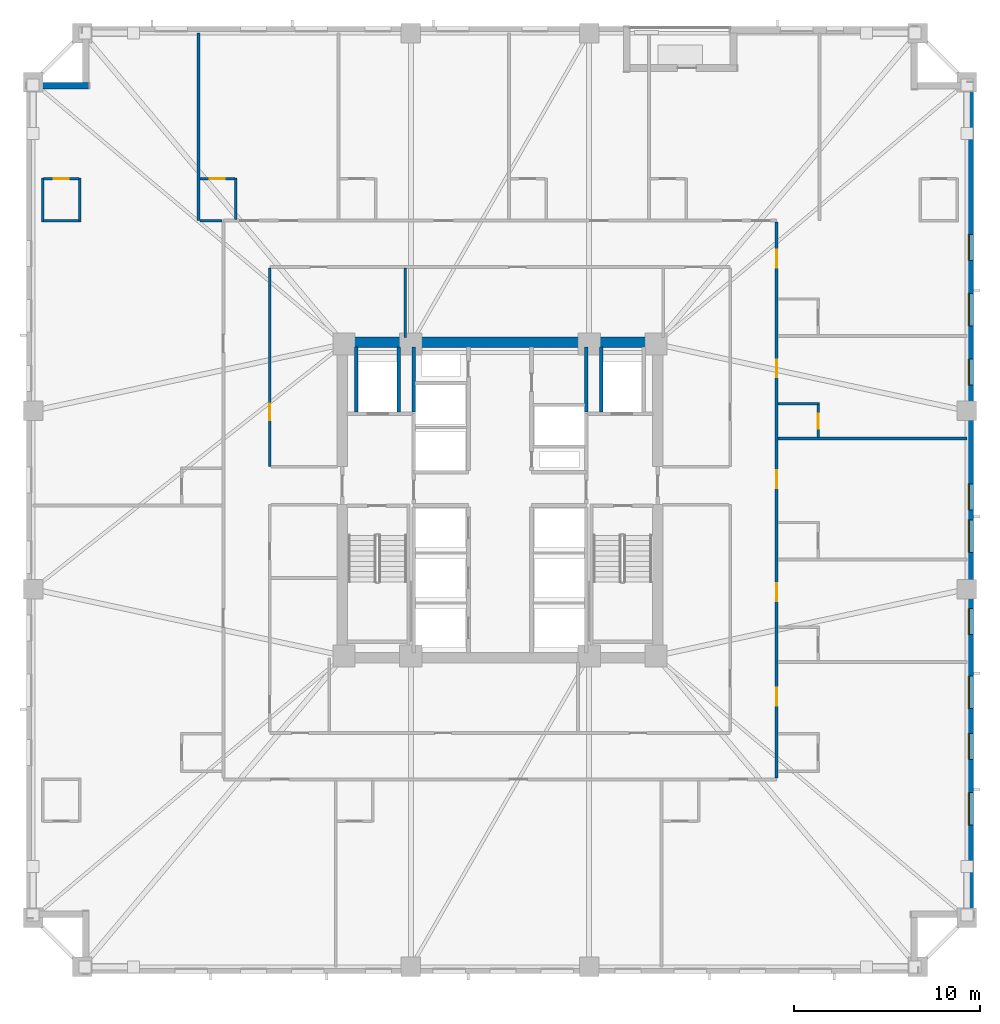
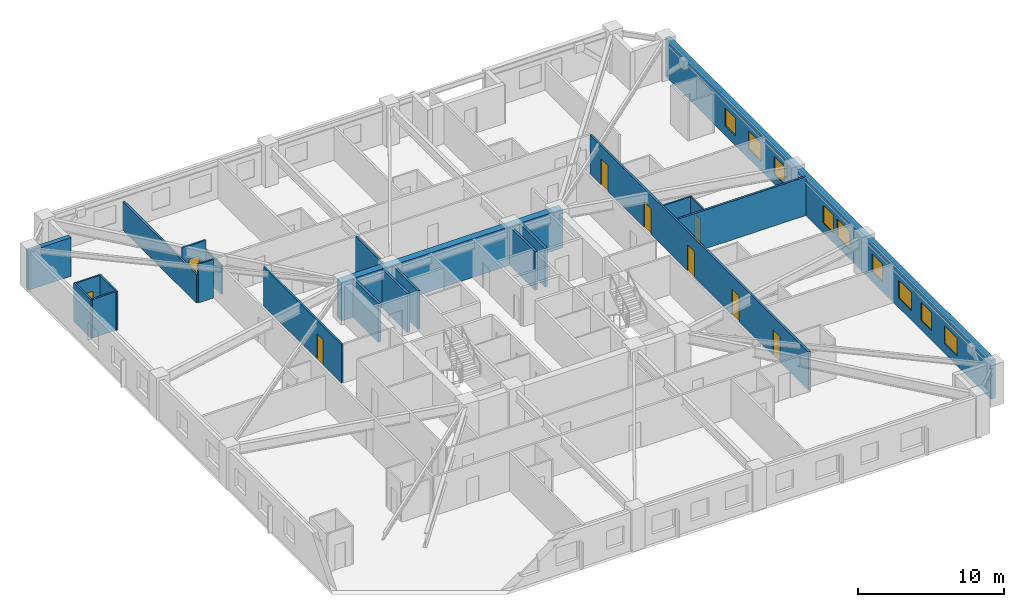
# One storey, part 5 of 11: 22 walls, 9 doors, 9 windows, 18 openings.
"""IFC4 building model written with IfcOpenShell, lengths in metres."""

from ifc_helpers import new_model, si_unit, direction, frame, frame_2d, origin, place, context, subcontext, project, spatial, rectangle, extrude, material, layer, layer_set, type_object, element, fill, save


model = new_model("IFC4")

# Units and contexts
model_context = context("Model", 3, precision=1e-05, world=origin(), true_north=direction((0.0, 1.0)))
body_context = subcontext(model_context, "Body", "Model", "MODEL_VIEW")
ifc_project = project(units=[si_unit("LENGTHUNIT", "METRE"), si_unit("AREAUNIT", "SQUARE_METRE"), si_unit("VOLUMEUNIT", "CUBIC_METRE"), si_unit("PLANEANGLEUNIT", "RADIAN"), si_unit("MASSUNIT", "GRAM", prefix="KILO")], contexts=[model_context])

# Site, building, storey
site_placement = place(None, origin())
site = spatial("IfcSite", under=ifc_project, at=site_placement, CompositionType="ELEMENT")
building_placement = place(site_placement, origin())
building = spatial("IfcBuilding", under=site, at=building_placement, Name="Cairnveth Concourse Tower", CompositionType="ELEMENT")
storey_placement = place(building_placement, frame((0.0, 0.0, 93.5)))
storey = spatial("IfcBuildingStorey", under=building, at=storey_placement, Name="L25", CompositionType="ELEMENT", Elevation=93.5)

# Wall, openings, doors
ifc_material_1 = material(Name="Gypsum Plasterboard Partition", Category="gypsum")
ifc_layer_1 = layer(ifc_material_1, 0.159912109375)
ifc_layer_set_1 = layer_set([ifc_layer_1], Name="Gypsum Plasterboard Partition")
wall_type_1 = type_object("IfcWallType", Name="ACOUSTIC PARTY WALL 180", PredefinedType="PARTITIONING", material=ifc_layer_set_1)
wall_1_placement = place(storey_placement, frame((66.89990234375, 24.014892578125, 0.0), z_axis=(0.0, 0.0, 1.0), x_axis=(0.0, 1.0, 0.0)))
wall_1 = element("IfcWall", 1, at=wall_1_placement, inside=storey, type_object=wall_type_1, Name="Interior Wall IW-L25-040", PredefinedType="PARTITIONING", context=body_context, shape_type="SweptSolid", body=[
    extrude(rectangle(XDim=29.97021484375, YDim=0.159912109375, at=frame_2d((14.985107421875, 0.0))), origin(), (0.0, 0.0, 1.0), 3.239990234375),
])
opening_1_placement = place(wall_1_placement, frame((3.911376953125, 0.0, 0.0)))
opening_1 = element("IfcOpeningElement", 2, at=opening_1_placement, cuts=wall_1, Name="Opening ID09", PredefinedType="OPENING", context=body_context, shape_type="SweptSolid", body=[
    extrude(rectangle(XDim=0.9599609375, YDim=2.14990234375, at=frame_2d((0.47998046875, 1.074951171875))), frame((0.0, 0.08984375, 0.0), z_axis=(0.0, -1.0, 0.0), x_axis=(1.0, 0.0, 0.0)), (0.0, 0.0, 1.0), 0.179931640625),
])
opening_2_placement = place(wall_1_placement, frame((9.544189453125, 0.0, 0.0)))
opening_2 = element("IfcOpeningElement", 3, at=opening_2_placement, cuts=wall_1, Name="Opening ID09", PredefinedType="OPENING", context=body_context, shape_type="SweptSolid", body=[
    extrude(rectangle(XDim=0.9599609375, YDim=2.14990234375, at=frame_2d((0.47998046875, 1.074951171875))), frame((0.0, 0.08984375, 0.0), z_axis=(0.0, -1.0, 0.0), x_axis=(1.0, 0.0, 0.0)), (0.0, 0.0, 1.0), 0.179931640625),
])
opening_3_placement = place(wall_1_placement, frame((15.625, 0.0, 0.0)))
opening_3 = element("IfcOpeningElement", 4, at=opening_3_placement, cuts=wall_1, Name="Opening ID09", PredefinedType="OPENING", context=body_context, shape_type="SweptSolid", body=[
    extrude(rectangle(XDim=0.9599609375, YDim=2.14990234375, at=frame_2d((0.47998046875, 1.074951171875))), frame((0.0, 0.08984375, 0.0), z_axis=(0.0, -1.0, 0.0), x_axis=(1.0, 0.0, 0.0)), (0.0, 0.0, 1.0), 0.179931640625),
])
opening_4_placement = place(wall_1_placement, frame((21.584228515625, 0.0, 0.0)))
opening_4 = element("IfcOpeningElement", 5, at=opening_4_placement, cuts=wall_1, Name="Opening ID09", PredefinedType="OPENING", context=body_context, shape_type="SweptSolid", body=[
    extrude(rectangle(XDim=0.9599609375, YDim=2.14990234375, at=frame_2d((0.47998046875, 1.074951171875))), frame((0.0, 0.08984375, 0.0), z_axis=(0.0, -1.0, 0.0), x_axis=(1.0, 0.0, 0.0)), (0.0, 0.0, 1.0), 0.179931640625),
])
opening_5_placement = place(wall_1_placement, frame((27.49365234375, 0.0, 0.0)))
opening_5 = element("IfcOpeningElement", 6, at=opening_5_placement, cuts=wall_1, Name="Opening ID09", PredefinedType="OPENING", context=body_context, shape_type="SweptSolid", body=[
    extrude(rectangle(XDim=0.9599609375, YDim=2.14990234375, at=frame_2d((0.47998046875, 1.074951171875))), frame((0.0, 0.08984375, 0.0), z_axis=(0.0, -1.0, 0.0), x_axis=(1.0, 0.0, 0.0)), (0.0, 0.0, 1.0), 0.179931640625),
])
ifc_material_2 = material(Name="Solid Core Hardwood Timber Leaf", Category="wood")
door_type_1 = type_object("IfcDoorType", Name="HOTEL ENTRANCE DOOR 960X2150", OperationType="NOTDEFINED", PredefinedType="DOOR", material=ifc_material_2)
door_1_placement = place(opening_1_placement, origin())
door_1 = element("IfcDoor", 7, at=door_1_placement, inside=storey, type_object=door_type_1, Name="Hotel Room Door L25-E1", OperationType="SINGLE_SWING_LEFT", OverallHeight=2.14990234375, OverallWidth=0.9599609375, PredefinedType="DOOR", context=body_context, shape_type="SweptSolid", body=[
    extrude(rectangle(XDim=0.9599609375, YDim=2.14990234375, at=frame_2d((0.47998046875, 1.074951171875))), frame((0.0, 0.02490234375, 0.0), z_axis=(0.0, -1.0, 0.0), x_axis=(1.0, 0.0, 0.0)), (0.0, 0.0, 1.0), 0.050048828125),
])
fill(opening_1, door_1)
door_2_placement = place(opening_2_placement, origin())
door_2 = element("IfcDoor", 8, at=door_2_placement, inside=storey, type_object=door_type_1, Name="Hotel Room Door L25-E2", OperationType="SINGLE_SWING_LEFT", OverallHeight=2.14990234375, OverallWidth=0.9599609375, PredefinedType="DOOR", context=body_context, shape_type="SweptSolid", body=[
    extrude(rectangle(XDim=0.9599609375, YDim=2.14990234375, at=frame_2d((0.47998046875, 1.074951171875))), frame((0.0, 0.02490234375, 0.0), z_axis=(0.0, -1.0, 0.0), x_axis=(1.0, 0.0, 0.0)), (0.0, 0.0, 1.0), 0.050048828125),
])
fill(opening_2, door_2)
door_3_placement = place(opening_3_placement, origin())
door_3 = element("IfcDoor", 9, at=door_3_placement, inside=storey, type_object=door_type_1, Name="Hotel Room Door L25-E3", OperationType="SINGLE_SWING_LEFT", OverallHeight=2.14990234375, OverallWidth=0.9599609375, PredefinedType="DOOR", context=body_context, shape_type="SweptSolid", body=[
    extrude(rectangle(XDim=0.9599609375, YDim=2.14990234375, at=frame_2d((0.47998046875, 1.074951171875))), frame((0.0, 0.02490234375, 0.0), z_axis=(0.0, -1.0, 0.0), x_axis=(1.0, 0.0, 0.0)), (0.0, 0.0, 1.0), 0.050048828125),
])
fill(opening_3, door_3)
door_4_placement = place(opening_4_placement, origin())
door_4 = element("IfcDoor", 10, at=door_4_placement, inside=storey, type_object=door_type_1, Name="Hotel Room Door L25-E4", OperationType="SINGLE_SWING_LEFT", OverallHeight=2.14990234375, OverallWidth=0.9599609375, PredefinedType="DOOR", context=body_context, shape_type="SweptSolid", body=[
    extrude(rectangle(XDim=0.9599609375, YDim=2.14990234375, at=frame_2d((0.47998046875, 1.074951171875))), frame((0.0, 0.02490234375, 0.0), z_axis=(0.0, -1.0, 0.0), x_axis=(1.0, 0.0, 0.0)), (0.0, 0.0, 1.0), 0.050048828125),
])
fill(opening_4, door_4)
door_5_placement = place(opening_5_placement, origin())
door_5 = element("IfcDoor", 11, at=door_5_placement, inside=storey, type_object=door_type_1, Name="Hotel Room Door L25-E5", OperationType="SINGLE_SWING_LEFT", OverallHeight=2.14990234375, OverallWidth=0.9599609375, PredefinedType="DOOR", context=body_context, shape_type="SweptSolid", body=[
    extrude(rectangle(XDim=0.9599609375, YDim=2.14990234375, at=frame_2d((0.47998046875, 1.074951171875))), frame((0.0, 0.02490234375, 0.0), z_axis=(0.0, -1.0, 0.0), x_axis=(1.0, 0.0, 0.0)), (0.0, 0.0, 1.0), 0.050048828125),
])
fill(opening_5, door_5)

# Walls
wall_2_placement = place(storey_placement, frame((35.767578125, 54.050048828125, 0.0), z_axis=(0.0, 0.0, 1.0), x_axis=(0.0, 1.0, 0.0)))
element("IfcWall", 12, at=wall_2_placement, inside=storey, type_object=wall_type_1, Name="Interior Wall IW-L25-070", PredefinedType="PARTITIONING", context=body_context, shape_type="SweptSolid", body=[
    extrude(rectangle(XDim=10.10498046875, YDim=0.159912109375, at=frame_2d((5.052490234375, 0.0))), origin(), (0.0, 0.0, 1.0), 2.39892578125),
])
wall_3_placement = place(storey_placement, frame((66.965087890625, 42.302490234375, 0.0), z_axis=(0.0, 0.0, 1.0), x_axis=(1.0, 0.0, 0.0)))
element("IfcWall", 13, at=wall_3_placement, inside=storey, type_object=wall_type_1, Name="Interior Wall IW-L25-103", PredefinedType="PARTITIONING", context=body_context, shape_type="SweptSolid", body=[
    extrude(rectangle(XDim=10.18994140625, YDim=0.159912109375, at=frame_2d((5.094970703125, 0.0))), origin(), (0.0, 0.0, 1.0), 3.239990234375),
])
ifc_material_3 = material(Name="Concrete N80 (80 MPa)", Category="concrete")
ifc_layer_2 = layer(ifc_material_3, 0.550048828125)
ifc_layer_set_2 = layer_set([ifc_layer_2], Name="Concrete N80 (80 MPa)")
wall_type_2 = type_object("IfcWallType", Name="CORE SHEAR WALL 550", PredefinedType="SHEAR", material=ifc_layer_set_2)
wall_4_placement = place(storey_placement, frame((43.22509765625, 47.5, 0.0), z_axis=(0.0, 0.0, 1.0), x_axis=(1.0, 0.0, 0.0)))
element("IfcWall", 14, at=wall_4_placement, inside=storey, type_object=wall_type_2, Name="Core North Shear Wall L25", PredefinedType="SHEAR", context=body_context, shape_type="SweptSolid", body=[
    extrude(rectangle(XDim=17.5498046875, YDim=0.550048828125, at=frame_2d((8.77490234375, 0.0))), origin(), (0.0, 0.0, 1.0), 3.239990234375),
])
ifc_material_4 = material(Name="Concrete N50 (50 MPa)", Category="concrete")
ifc_layer_3 = layer(ifc_material_4, 0.179931640625)
ifc_layer_set_3 = layer_set([ifc_layer_3], Name="Concrete N50 (50 MPa)")
wall_type_3 = type_object("IfcWallType", Name="FIRE SHAFT WALL 180", PredefinedType="SOLIDWALL", material=ifc_layer_set_3)
for number, where, z_axis, x_axis, name in (
    (15, (47.35009765625, 43.735107421875, 0.0), (0.0, 0.0, 1.0), (0.0, 1.0, 0.0), "Interior Wall IW-L25-031"),
    (16, (56.64990234375, 43.735107421875, 0.0), (0.0, 0.0, 1.0), (0.0, 1.0, 0.0), "Interior Wall IW-L25-034"),
):
    element("IfcWall", number, at=place(storey_placement, frame(where, z_axis=z_axis, x_axis=x_axis)), inside=storey, type_object=wall_type_3, Name=name, PredefinedType="SOLIDWALL", context=body_context, shape_type="SweptSolid", body=[
        extrude(rectangle(XDim=3.5048828125, YDim=0.179931640625, at=frame_2d((1.75244140625, 0.0))), origin(), (0.0, 0.0, 1.0), 3.239990234375),
    ])
ifc_layer_4 = layer(ifc_material_4, 0.199951171875)
ifc_layer_set_4 = layer_set([ifc_layer_4], Name="Concrete N50 (50 MPa)")
wall_type_4 = type_object("IfcWallType", Name="FIRE SHAFT WALL 200", PredefinedType="SOLIDWALL", material=ifc_layer_set_4)
for number, where, z_axis, x_axis, name in (
    (17, (46.550048828125, 43.735107421875, 0.0), (0.0, 0.0, 1.0), (0.0, 1.0, 0.0), "Interior Wall IW-L25-018"),
    (18, (44.25, 43.735107421875, 0.0), (0.0, 0.0, 1.0), (0.0, 1.0, 0.0), "Interior Wall IW-L25-019"),
    (19, (57.449951171875, 43.735107421875, 0.0), (0.0, 0.0, 1.0), (0.0, 1.0, 0.0), "Interior Wall IW-L25-023"),
):
    element("IfcWall", number, at=place(storey_placement, frame(where, z_axis=z_axis, x_axis=x_axis)), inside=storey, type_object=wall_type_4, Name=name, PredefinedType="SOLIDWALL", context=body_context, shape_type="SweptSolid", body=[
        extrude(rectangle(XDim=3.5048828125, YDim=0.199951171875, at=frame_2d((1.75244140625, 0.0))), origin(), (0.0, 0.0, 1.0), 3.239990234375),
    ])

# Wall, opening, door
ifc_layer_5 = layer(ifc_material_1, 0.139892578125)
ifc_layer_set_5 = layer_set([ifc_layer_5], Name="Gypsum Plasterboard Partition")
wall_type_5 = type_object("IfcWallType", Name="GYPSUM STUD PARTITION 140", PredefinedType="PARTITIONING", material=ifc_layer_set_5)
wall_5_placement = place(storey_placement, frame((39.60009765625, 40.800048828125, 0.0), z_axis=(0.0, 0.0, 1.0), x_axis=(0.0, 1.0, 0.0)))
wall_5 = element("IfcWall", 20, at=wall_5_placement, inside=storey, type_object=wall_type_5, Name="Interior Wall IW-L25-044", PredefinedType="PARTITIONING", context=body_context, shape_type="SweptSolid", body=[
    extrude(rectangle(XDim=10.695068359375, YDim=0.139892578125, at=frame_2d((5.34765625, 0.0))), origin(), (0.0, 0.0, 1.0), 3.239990234375),
])
opening_6_placement = place(wall_5_placement, frame((2.5, 0.0, 0.0)))
opening_6 = element("IfcOpeningElement", 21, at=opening_6_placement, cuts=wall_5, Name="Opening ID18", PredefinedType="OPENING", context=body_context, shape_type="SweptSolid", body=[
    extrude(rectangle(XDim=0.8798828125, YDim=2.10009765625, at=frame_2d((0.43994140625, 1.050048828125))), frame((0.0, 0.079833984375, 0.0), z_axis=(0.0, -1.0, 0.0), x_axis=(1.0, 0.0, 0.0)), (0.0, 0.0, 1.0), 0.159912109375),
])
door_type_2 = type_object("IfcDoorType", Name="INTERIOR SINGLE DOOR 880X2100", OperationType="NOTDEFINED", PredefinedType="DOOR", material=ifc_material_2)
door_6_placement = place(opening_6_placement, origin())
door_6 = element("IfcDoor", 22, at=door_6_placement, inside=storey, type_object=door_type_2, Name="Interior Door DR-L25-021", OperationType="SINGLE_SWING_LEFT", OverallHeight=2.10009765625, OverallWidth=0.8798828125, PredefinedType="DOOR", context=body_context, shape_type="SweptSolid", body=[
    extrude(rectangle(XDim=0.8798828125, YDim=2.10009765625, at=frame_2d((0.43994140625, 1.050048828125))), frame((0.0, 0.02490234375, 0.0), z_axis=(0.0, -1.0, 0.0), x_axis=(1.0, 0.0, 0.0)), (0.0, 0.0, 1.0), 0.050048828125),
])
fill(opening_6, door_6)

# Walls
wall_6_placement = place(storey_placement, frame((46.89990234375, 47.760009765625, 0.0), z_axis=(0.0, 0.0, 1.0), x_axis=(0.0, 1.0, 0.0)))
element("IfcWall", 23, at=wall_6_placement, inside=storey, type_object=wall_type_5, Name="Interior Wall IW-L25-053", PredefinedType="PARTITIONING", context=body_context, shape_type="SweptSolid", body=[
    extrude(rectangle(XDim=3.735107421875, YDim=0.139892578125, at=frame_2d((1.86767578125, 0.0))), origin(), (0.0, 0.0, 1.0), 3.239990234375),
])
ifc_layer_6 = layer(ifc_material_1, 0.1298828125)
ifc_layer_set_6 = layer_set([ifc_layer_6], Name="Gypsum Plasterboard Partition")
wall_type_6 = type_object("IfcWallType", Name="WET AREA PARTITION 140", PredefinedType="PLUMBINGWALL", material=ifc_layer_set_6)
for number, where, z_axis, x_axis, name in (
    (24, (27.3701171875, 53.969970703125, 0.0), (0.0, 0.0, 1.0), (0.0, 1.0, 0.0), "Interior Wall IW-L25-066"),
    (25, (29.3701171875, 53.969970703125, 0.0), (0.0, 0.0, 1.0), (0.0, 1.0, 0.0), "Interior Wall IW-L25-067"),
):
    element("IfcWall", number, at=place(storey_placement, frame(where, z_axis=z_axis, x_axis=x_axis)), inside=storey, type_object=wall_type_6, Name=name, PredefinedType="PLUMBINGWALL", context=body_context, shape_type="SweptSolid", body=[
        extrude(rectangle(XDim=2.380126953125, YDim=0.1298828125, at=frame_2d((1.18994140625, 0.0))), origin(), (0.0, 0.0, 1.0), 3.239990234375),
    ])

# Wall, opening, door
wall_7_placement = place(storey_placement, frame((27.419921875, 56.300048828125, 0.0), z_axis=(0.0, 0.0, 1.0), x_axis=(1.0, 0.0, 0.0)))
wall_7 = element("IfcWall", 26, at=wall_7_placement, inside=storey, type_object=wall_type_6, Name="Interior Wall IW-L25-068", PredefinedType="PLUMBINGWALL", context=body_context, shape_type="SweptSolid", body=[
    extrude(rectangle(XDim=1.900146484375, YDim=0.1298828125, at=frame_2d((0.9501953125, 0.0))), origin(), (0.0, 0.0, 1.0), 3.239990234375),
])
opening_7_placement = place(wall_7_placement, frame((0.5400390625, 0.0, 0.0)))
opening_7 = element("IfcOpeningElement", 27, at=opening_7_placement, cuts=wall_7, Name="Opening ID22", PredefinedType="OPENING", context=body_context, shape_type="SweptSolid", body=[
    extrude(rectangle(XDim=0.820068359375, YDim=2.10009765625, at=frame_2d((0.41015625, 1.050048828125))), frame((0.0, 0.074951171875, 0.0), z_axis=(0.0, -1.0, 0.0), x_axis=(1.0, 0.0, 0.0)), (0.0, 0.0, 1.0), 0.14990234375),
])
door_type_3 = type_object("IfcDoorType", Name="INTERIOR WC DOOR 820X2100", OperationType="NOTDEFINED", PredefinedType="DOOR", material=ifc_material_2)
door_7_placement = place(opening_7_placement, origin())
door_7 = element("IfcDoor", 28, at=door_7_placement, inside=storey, type_object=door_type_3, Name="En-Suite Door L25-N1", OperationType="SINGLE_SWING_RIGHT", OverallHeight=2.10009765625, OverallWidth=0.820068359375, PredefinedType="DOOR", context=body_context, shape_type="SweptSolid", body=[
    extrude(rectangle(XDim=0.820068359375, YDim=2.10009765625, at=frame_2d((0.41015625, 1.050048828125))), frame((0.0, 0.02490234375, 0.0), z_axis=(0.0, -1.0, 0.0), x_axis=(1.0, 0.0, 0.0)), (0.0, 0.0, 1.0), 0.050048828125),
])
fill(opening_7, door_7)

# Walls
wall_8_placement = place(storey_placement, frame((27.419921875, 54.050048828125, 0.0), z_axis=(0.0, 0.0, 1.0), x_axis=(1.0, 0.0, 0.0)))
element("IfcWall", 29, at=wall_8_placement, inside=storey, type_object=wall_type_6, Name="Interior Wall IW-L25-069", PredefinedType="PLUMBINGWALL", context=body_context, shape_type="SweptSolid", body=[
    extrude(rectangle(XDim=1.900146484375, YDim=0.1298828125, at=frame_2d((0.9501953125, 0.0))), origin(), (0.0, 0.0, 1.0), 3.239990234375),
])
wall_9_placement = place(storey_placement, frame((37.767578125, 54.114990234375, 0.0), z_axis=(0.0, 0.0, 1.0), x_axis=(0.0, 1.0, 0.0)))
element("IfcWall", 30, at=wall_9_placement, inside=storey, type_object=wall_type_6, Name="Interior Wall IW-L25-071", PredefinedType="PLUMBINGWALL", context=body_context, shape_type="SweptSolid", body=[
    extrude(rectangle(XDim=2.235107421875, YDim=0.1298828125, at=frame_2d((1.11767578125, 0.0))), origin(), (0.0, 0.0, 1.0), 2.39892578125),
])

# Wall, opening, door
wall_10_placement = place(storey_placement, frame((35.83251953125, 56.300048828125, 0.0), z_axis=(0.0, 0.0, 1.0), x_axis=(1.0, 0.0, 0.0)))
wall_10 = element("IfcWall", 31, at=wall_10_placement, inside=storey, type_object=wall_type_6, Name="Interior Wall IW-L25-072", PredefinedType="PLUMBINGWALL", context=body_context, shape_type="SweptSolid", body=[
    extrude(rectangle(XDim=1.885009765625, YDim=0.1298828125, at=frame_2d((0.9423828125, 0.0))), origin(), (0.0, 0.0, 1.0), 3.239990234375),
])
opening_8_placement = place(wall_10_placement, frame((0.52490234375, 0.0, 0.0)))
opening_8 = element("IfcOpeningElement", 32, at=opening_8_placement, cuts=wall_10, Name="Opening ID22", PredefinedType="OPENING", context=body_context, shape_type="SweptSolid", body=[
    extrude(rectangle(XDim=0.820068359375, YDim=2.10009765625, at=frame_2d((0.41015625, 1.050048828125))), frame((0.0, 0.074951171875, 0.0), z_axis=(0.0, -1.0, 0.0), x_axis=(1.0, 0.0, 0.0)), (0.0, 0.0, 1.0), 0.14990234375),
])
door_8_placement = place(opening_8_placement, origin())
door_8 = element("IfcDoor", 33, at=door_8_placement, inside=storey, type_object=door_type_3, Name="En-Suite Door L25-N2", OperationType="SINGLE_SWING_RIGHT", OverallHeight=2.10009765625, OverallWidth=0.820068359375, PredefinedType="DOOR", context=body_context, shape_type="SweptSolid", body=[
    extrude(rectangle(XDim=0.820068359375, YDim=2.10009765625, at=frame_2d((0.41015625, 1.050048828125))), frame((0.0, 0.02490234375, 0.0), z_axis=(0.0, -1.0, 0.0), x_axis=(1.0, 0.0, 0.0)), (0.0, 0.0, 1.0), 0.050048828125),
])
fill(opening_8, door_8)

# Walls
wall_11_placement = place(storey_placement, frame((35.83251953125, 54.050048828125, 0.0), z_axis=(0.0, 0.0, 1.0), x_axis=(1.0, 0.0, 0.0)))
element("IfcWall", 34, at=wall_11_placement, inside=storey, type_object=wall_type_6, Name="Interior Wall IW-L25-073", PredefinedType="PLUMBINGWALL", context=body_context, shape_type="SweptSolid", body=[
    extrude(rectangle(XDim=1.1875, YDim=0.1298828125, at=frame_2d((0.59375, 0.0))), origin(), (0.0, 0.0, 1.0), 3.239990234375),
])
wall_12_placement = place(storey_placement, frame((66.965087890625, 44.180908203125, 0.0), z_axis=(0.0, 0.0, 1.0), x_axis=(1.0, 0.0, 0.0)))
element("IfcWall", 35, at=wall_12_placement, inside=storey, type_object=wall_type_6, Name="Interior Wall IW-L25-104", PredefinedType="PLUMBINGWALL", context=body_context, shape_type="SweptSolid", body=[
    extrude(rectangle(XDim=2.23486328125, YDim=0.1298828125, at=frame_2d((1.117431640625, 0.0))), origin(), (0.0, 0.0, 1.0), 3.239990234375),
])

# Wall, opening, door
wall_13_placement = place(storey_placement, frame((69.14990234375, 42.367431640625, 0.0), z_axis=(0.0, 0.0, 1.0), x_axis=(0.0, 1.0, 0.0)))
wall_13 = element("IfcWall", 36, at=wall_13_placement, inside=storey, type_object=wall_type_6, Name="Interior Wall IW-L25-105", PredefinedType="PLUMBINGWALL", context=body_context, shape_type="SweptSolid", body=[
    extrude(rectangle(XDim=1.763671875, YDim=0.1298828125, at=frame_2d((0.8818359375, 0.0))), origin(), (0.0, 0.0, 1.0), 3.239990234375),
])
opening_9_placement = place(wall_13_placement, frame((0.464111328125, 0.0, 0.0)))
opening_9 = element("IfcOpeningElement", 37, at=opening_9_placement, cuts=wall_13, Name="Opening ID22", PredefinedType="OPENING", context=body_context, shape_type="SweptSolid", body=[
    extrude(rectangle(XDim=0.820068359375, YDim=2.10009765625, at=frame_2d((0.41015625, 1.050048828125))), frame((0.0, 0.074951171875, 0.0), z_axis=(0.0, -1.0, 0.0), x_axis=(1.0, 0.0, 0.0)), (0.0, 0.0, 1.0), 0.14990234375),
])
door_9_placement = place(opening_9_placement, origin())
door_9 = element("IfcDoor", 38, at=door_9_placement, inside=storey, type_object=door_type_3, Name="En-Suite Door L25-E4", OperationType="SINGLE_SWING_RIGHT", OverallHeight=2.10009765625, OverallWidth=0.820068359375, PredefinedType="DOOR", context=body_context, shape_type="SweptSolid", body=[
    extrude(rectangle(XDim=0.820068359375, YDim=2.10009765625, at=frame_2d((0.41015625, 1.050048828125))), frame((0.0, 0.02490234375, 0.0), z_axis=(0.0, -1.0, 0.0), x_axis=(1.0, 0.0, 0.0)), (0.0, 0.0, 1.0), 0.050048828125),
])
fill(opening_9, door_9)

# Wall, openings, windows
ifc_material_5 = material(Name="Hawthorn Red-Ochre Fired Clay Brick Masonry", Category="masonry")
ifc_layer_7 = layer(ifc_material_5, 0.360107421875)
ifc_layer_set_7 = layer_set([ifc_layer_7], Name="Hawthorn Red-Ochre Fired Clay Brick Masonry")
wall_type_7 = type_object("IfcWallType", Name="ZONE 1 BRICK PIER SPANDREL WALL 360", PredefinedType="SOLIDWALL", material=ifc_layer_set_7)
wall_14_placement = place(storey_placement, frame((77.320068359375, 61.5, 0.0), z_axis=(0.0, 0.0, 1.0), x_axis=(0.0, -1.0, 0.0)))
wall_14 = element("IfcWall", 39, at=wall_14_placement, inside=storey, type_object=wall_type_7, Name="Exterior Wall EW-L25-S03", PredefinedType="SOLIDWALL", context=body_context, shape_type="SweptSolid", body=[
    extrude(rectangle(XDim=44.662109375, YDim=0.360107421875, at=frame_2d((22.3310546875, 0.0))), origin(), (0.0, 0.0, 1.0), 3.239990234375),
])
opening_10_placement = place(wall_14_placement, frame((8.190185546875, 0.0, 0.800048828125)))
opening_10 = element("IfcOpeningElement", 40, at=opening_10_placement, cuts=wall_14, Name="Opening W05", PredefinedType="OPENING", context=body_context, shape_type="SweptSolid", body=[
    extrude(rectangle(XDim=1.39990234375, YDim=1.50390625, at=frame_2d((0.699951171875, 0.751953125))), frame((0.0, 0.18994140625, 0.0), z_axis=(0.0, -1.0, 0.0), x_axis=(1.0, 0.0, 0.0)), (0.0, 0.0, 1.0), 0.380126953125),
])
opening_11_placement = place(wall_14_placement, frame((11.37548828125, 0.0, 0.800048828125)))
opening_11 = element("IfcOpeningElement", 41, at=opening_11_placement, cuts=wall_14, Name="Opening W06", PredefinedType="OPENING", context=body_context, shape_type="SweptSolid", body=[
    extrude(rectangle(XDim=1.75, YDim=1.50390625, at=frame_2d((0.875, 0.751953125))), frame((0.0, 0.18994140625, 0.0), z_axis=(0.0, -1.0, 0.0), x_axis=(1.0, 0.0, 0.0)), (0.0, 0.0, 1.0), 0.380126953125),
])
opening_12_placement = place(wall_14_placement, frame((14.91064453125, 0.0, 0.800048828125)))
opening_12 = element("IfcOpeningElement", 42, at=opening_12_placement, cuts=wall_14, Name="Opening W05", PredefinedType="OPENING", context=body_context, shape_type="SweptSolid", body=[
    extrude(rectangle(XDim=1.39990234375, YDim=1.50390625, at=frame_2d((0.699951171875, 0.751953125))), frame((0.0, 0.18994140625, 0.0), z_axis=(0.0, -1.0, 0.0), x_axis=(1.0, 0.0, 0.0)), (0.0, 0.0, 1.0), 0.380126953125),
])
opening_13_placement = place(wall_14_placement, frame((21.631103515625, 0.0, 0.800048828125)))
opening_13 = element("IfcOpeningElement", 43, at=opening_13_placement, cuts=wall_14, Name="Opening W05", PredefinedType="OPENING", context=body_context, shape_type="SweptSolid", body=[
    extrude(rectangle(XDim=1.39990234375, YDim=1.50390625, at=frame_2d((0.699951171875, 0.751953125))), frame((0.0, 0.18994140625, 0.0), z_axis=(0.0, -1.0, 0.0), x_axis=(1.0, 0.0, 0.0)), (0.0, 0.0, 1.0), 0.380126953125),
])
opening_14_placement = place(wall_14_placement, frame((23.566162109375, 0.0, 0.800048828125)))
opening_14 = element("IfcOpeningElement", 44, at=opening_14_placement, cuts=wall_14, Name="Opening W06", PredefinedType="OPENING", context=body_context, shape_type="SweptSolid", body=[
    extrude(rectangle(XDim=1.75, YDim=1.50390625, at=frame_2d((0.875, 0.751953125))), frame((0.0, 0.18994140625, 0.0), z_axis=(0.0, -1.0, 0.0), x_axis=(1.0, 0.0, 0.0)), (0.0, 0.0, 1.0), 0.380126953125),
])
opening_15_placement = place(wall_14_placement, frame((28.351318359375, 0.0, 0.800048828125)))
opening_15 = element("IfcOpeningElement", 45, at=opening_15_placement, cuts=wall_14, Name="Opening W05", PredefinedType="OPENING", context=body_context, shape_type="SweptSolid", body=[
    extrude(rectangle(XDim=1.39990234375, YDim=1.50390625, at=frame_2d((0.699951171875, 0.751953125))), frame((0.0, 0.18994140625, 0.0), z_axis=(0.0, -1.0, 0.0), x_axis=(1.0, 0.0, 0.0)), (0.0, 0.0, 1.0), 0.380126953125),
])
opening_16_placement = place(wall_14_placement, frame((31.986572265625, 0.0, 0.800048828125)))
opening_16 = element("IfcOpeningElement", 46, at=opening_16_placement, cuts=wall_14, Name="Opening W06", PredefinedType="OPENING", context=body_context, shape_type="SweptSolid", body=[
    extrude(rectangle(XDim=1.75, YDim=1.50390625, at=frame_2d((0.875, 0.751953125))), frame((0.0, 0.18994140625, 0.0), z_axis=(0.0, -1.0, 0.0), x_axis=(1.0, 0.0, 0.0)), (0.0, 0.0, 1.0), 0.380126953125),
])
opening_17_placement = place(wall_14_placement, frame((35.07177734375, 0.0, 0.800048828125)))
opening_17 = element("IfcOpeningElement", 47, at=opening_17_placement, cuts=wall_14, Name="Opening W05", PredefinedType="OPENING", context=body_context, shape_type="SweptSolid", body=[
    extrude(rectangle(XDim=1.39990234375, YDim=1.50390625, at=frame_2d((0.699951171875, 0.751953125))), frame((0.0, 0.18994140625, 0.0), z_axis=(0.0, -1.0, 0.0), x_axis=(1.0, 0.0, 0.0)), (0.0, 0.0, 1.0), 0.380126953125),
])
opening_18_placement = place(wall_14_placement, frame((38.2568359375, 0.0, 0.800048828125)))
opening_18 = element("IfcOpeningElement", 48, at=opening_18_placement, cuts=wall_14, Name="Opening W06", PredefinedType="OPENING", context=body_context, shape_type="SweptSolid", body=[
    extrude(rectangle(XDim=1.75, YDim=1.50390625, at=frame_2d((0.875, 0.751953125))), frame((0.0, 0.18994140625, 0.0), z_axis=(0.0, -1.0, 0.0), x_axis=(1.0, 0.0, 0.0)), (0.0, 0.0, 1.0), 0.380126953125),
])
ifc_material_6 = material(Name="Double Glazed Low-E Clear Glass", Category="glass")
window_type_1 = type_object("IfcWindowType", Name="DEEP-SET HOTEL CASEMENT WINDOW 1400X1750", PartitioningType="DOUBLE_PANEL_VERTICAL", PredefinedType="WINDOW", material=ifc_material_6)
window_1_placement = place(opening_10_placement, origin())
window_1 = element("IfcWindow", 49, at=window_1_placement, inside=storey, type_object=window_type_1, Name="Gothic Lancet Window L25-3-2", OverallHeight=1.50390625, OverallWidth=1.39990234375, PartitioningType="SINGLE_PANEL", PredefinedType="WINDOW", context=body_context, shape_type="SweptSolid", body=[
    extrude(rectangle(XDim=1.39990234375, YDim=1.50390625, at=frame_2d((0.699951171875, 0.751953125))), frame((0.0, -0.050048828125, 0.0), z_axis=(0.0, -1.0, 0.0), x_axis=(1.0, 0.0, 0.0)), (0.0, 0.0, 1.0), 0.06005859375),
])
fill(opening_10, window_1)
window_2_placement = place(opening_12_placement, origin())
window_2 = element("IfcWindow", 50, at=window_2_placement, inside=storey, type_object=window_type_1, Name="Gothic Lancet Window L25-3-4", OverallHeight=1.50390625, OverallWidth=1.39990234375, PartitioningType="SINGLE_PANEL", PredefinedType="WINDOW", context=body_context, shape_type="SweptSolid", body=[
    extrude(rectangle(XDim=1.39990234375, YDim=1.50390625, at=frame_2d((0.699951171875, 0.751953125))), frame((0.0, -0.050048828125, 0.0), z_axis=(0.0, -1.0, 0.0), x_axis=(1.0, 0.0, 0.0)), (0.0, 0.0, 1.0), 0.06005859375),
])
fill(opening_12, window_2)
window_3_placement = place(opening_13_placement, origin())
window_3 = element("IfcWindow", 51, at=window_3_placement, inside=storey, type_object=window_type_1, Name="Gothic Lancet Window L25-3-6", OverallHeight=1.50390625, OverallWidth=1.39990234375, PartitioningType="SINGLE_PANEL", PredefinedType="WINDOW", context=body_context, shape_type="SweptSolid", body=[
    extrude(rectangle(XDim=1.39990234375, YDim=1.50390625, at=frame_2d((0.699951171875, 0.751953125))), frame((0.0, -0.050048828125, 0.0), z_axis=(0.0, -1.0, 0.0), x_axis=(1.0, 0.0, 0.0)), (0.0, 0.0, 1.0), 0.06005859375),
])
fill(opening_13, window_3)
window_4_placement = place(opening_15_placement, origin())
window_4 = element("IfcWindow", 52, at=window_4_placement, inside=storey, type_object=window_type_1, Name="Gothic Lancet Window L25-3-8", OverallHeight=1.50390625, OverallWidth=1.39990234375, PartitioningType="SINGLE_PANEL", PredefinedType="WINDOW", context=body_context, shape_type="SweptSolid", body=[
    extrude(rectangle(XDim=1.39990234375, YDim=1.50390625, at=frame_2d((0.699951171875, 0.751953125))), frame((0.0, -0.050048828125, 0.0), z_axis=(0.0, -1.0, 0.0), x_axis=(1.0, 0.0, 0.0)), (0.0, 0.0, 1.0), 0.06005859375),
])
fill(opening_15, window_4)
window_5_placement = place(opening_17_placement, origin())
window_5 = element("IfcWindow", 53, at=window_5_placement, inside=storey, type_object=window_type_1, Name="Gothic Lancet Window L25-3-10", OverallHeight=1.50390625, OverallWidth=1.39990234375, PartitioningType="SINGLE_PANEL", PredefinedType="WINDOW", context=body_context, shape_type="SweptSolid", body=[
    extrude(rectangle(XDim=1.39990234375, YDim=1.50390625, at=frame_2d((0.699951171875, 0.751953125))), frame((0.0, -0.050048828125, 0.0), z_axis=(0.0, -1.0, 0.0), x_axis=(1.0, 0.0, 0.0)), (0.0, 0.0, 1.0), 0.06005859375),
])
fill(opening_17, window_5)
window_type_2 = type_object("IfcWindowType", Name="DEEP-SET HOTEL SUITE WINDOW 1750X1800", PartitioningType="DOUBLE_PANEL_VERTICAL", PredefinedType="WINDOW", material=ifc_material_6)
window_6_placement = place(opening_11_placement, origin())
window_6 = element("IfcWindow", 54, at=window_6_placement, inside=storey, type_object=window_type_2, Name="Gothic Lancet Window L25-3-3", OverallHeight=1.50390625, OverallWidth=1.75, PartitioningType="SINGLE_PANEL", PredefinedType="WINDOW", context=body_context, shape_type="SweptSolid", body=[
    extrude(rectangle(XDim=1.75, YDim=1.50390625, at=frame_2d((0.875, 0.751953125))), frame((0.0, -0.050048828125, 0.0), z_axis=(0.0, -1.0, 0.0), x_axis=(1.0, 0.0, 0.0)), (0.0, 0.0, 1.0), 0.06005859375),
])
fill(opening_11, window_6)
window_7_placement = place(opening_14_placement, origin())
window_7 = element("IfcWindow", 55, at=window_7_placement, inside=storey, type_object=window_type_2, Name="Gothic Lancet Window L25-3-7", OverallHeight=1.50390625, OverallWidth=1.75, PartitioningType="SINGLE_PANEL", PredefinedType="WINDOW", context=body_context, shape_type="SweptSolid", body=[
    extrude(rectangle(XDim=1.75, YDim=1.50390625, at=frame_2d((0.875, 0.751953125))), frame((0.0, -0.050048828125, 0.0), z_axis=(0.0, -1.0, 0.0), x_axis=(1.0, 0.0, 0.0)), (0.0, 0.0, 1.0), 0.06005859375),
])
fill(opening_14, window_7)
window_8_placement = place(opening_16_placement, origin())
window_8 = element("IfcWindow", 56, at=window_8_placement, inside=storey, type_object=window_type_2, Name="Gothic Lancet Window L25-3-9", OverallHeight=1.50390625, OverallWidth=1.75, PartitioningType="SINGLE_PANEL", PredefinedType="WINDOW", context=body_context, shape_type="SweptSolid", body=[
    extrude(rectangle(XDim=1.75, YDim=1.50390625, at=frame_2d((0.875, 0.751953125))), frame((0.0, -0.050048828125, 0.0), z_axis=(0.0, -1.0, 0.0), x_axis=(1.0, 0.0, 0.0)), (0.0, 0.0, 1.0), 0.06005859375),
])
fill(opening_16, window_8)
window_9_placement = place(opening_18_placement, origin())
window_9 = element("IfcWindow", 57, at=window_9_placement, inside=storey, type_object=window_type_2, Name="Gothic Lancet Window L25-3-11", OverallHeight=1.50390625, OverallWidth=1.75, PartitioningType="SINGLE_PANEL", PredefinedType="WINDOW", context=body_context, shape_type="SweptSolid", body=[
    extrude(rectangle(XDim=1.75, YDim=1.50390625, at=frame_2d((0.875, 0.751953125))), frame((0.0, -0.050048828125, 0.0), z_axis=(0.0, -1.0, 0.0), x_axis=(1.0, 0.0, 0.0)), (0.0, 0.0, 1.0), 0.06005859375),
])
fill(opening_18, window_9)

# Wall
wall_15_placement = place(storey_placement, frame((26.5, 61.320068359375, 0.0), z_axis=(0.0, 0.0, 1.0), x_axis=(1.0, 0.0, 0.0)))
element("IfcWall", 58, at=wall_15_placement, inside=storey, type_object=wall_type_7, Name="Exterior Wall EW-L25-S10", PredefinedType="SOLIDWALL", context=body_context, shape_type="SweptSolid", body=[
    extrude(rectangle(XDim=3.360107421875, YDim=0.360107421875, at=frame_2d((1.68017578125, 0.0))), origin(), (0.0, 0.0, 1.0), 3.239990234375),
])

save(model, "model.ifc")
